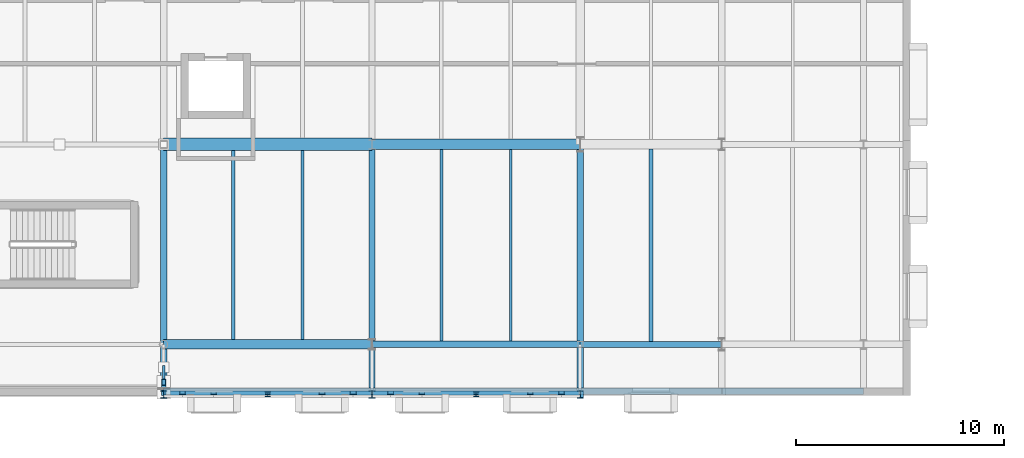
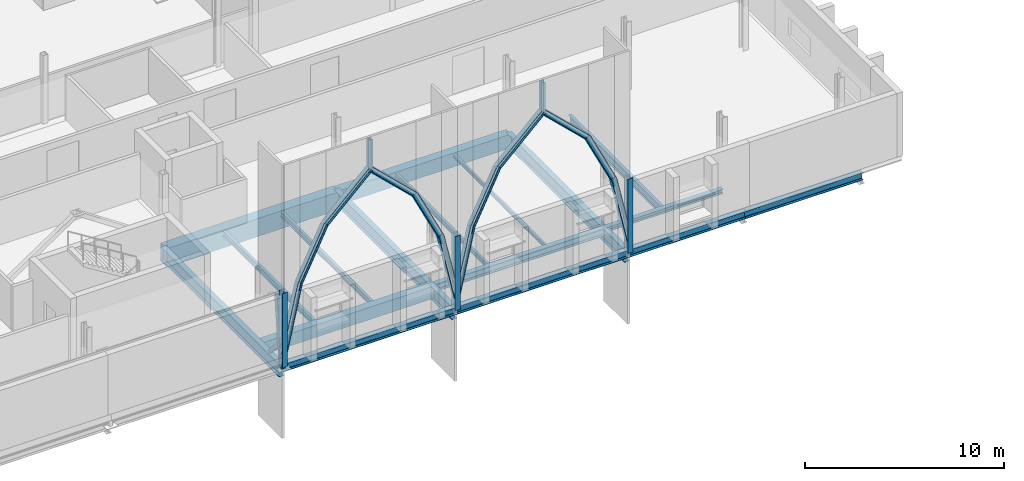
# One storey, part 36 of 90: 19 members, 17 beams.
"""IFC4 building model written with IfcOpenShell, lengths in metres."""

from ifc_helpers import new_model, si_unit, direction, frame, origin, origin_2d, place, context, subcontext, project, spatial, rectangle, hollow_rectangle, i_section, extrude, material, material_profile, profile_set, type_object, element, save


model = new_model("IFC4")

# Units and contexts
model_context = context("Model", 3, precision=1e-05, world=origin(), true_north=direction((0.0, 1.0)))
body_context = subcontext(model_context, "Body", "Model", "MODEL_VIEW")
ifc_project = project(units=[si_unit("LENGTHUNIT", "METRE"), si_unit("AREAUNIT", "SQUARE_METRE"), si_unit("VOLUMEUNIT", "CUBIC_METRE"), si_unit("PLANEANGLEUNIT", "RADIAN"), si_unit("MASSUNIT", "GRAM", prefix="KILO")], contexts=[model_context])

# Site, building, storey
site_placement = place(None, origin())
site = spatial("IfcSite", under=ifc_project, at=site_placement, CompositionType="ELEMENT")
building_placement = place(site_placement, origin())
building = spatial("IfcBuilding", under=site, at=building_placement, Name="Zereglee Splitstone Museum", CompositionType="ELEMENT")
storey_placement = place(building_placement, frame((0.0, 0.0, 4.800048828125)))
storey = spatial("IfcBuildingStorey", under=building, at=storey_placement, Name="L01", CompositionType="ELEMENT", Elevation=4.800048828125)

# Beams
ifc_material_1 = material(Name="Concrete C40/50", Category="concrete")
ifc_material_profile_1 = material_profile(ifc_material_1, rectangle(XDim=0.5, YDim=0.85009765625, at=origin_2d()), Name="RC 500x850")
ifc_profile_set_1 = profile_set([ifc_material_profile_1], Name="Concrete C40/50")
beam_type_1 = type_object("IfcBeamType", Name="BG-02", PredefinedType="BEAM", material=ifc_profile_set_1)
beam_1_placement = place(storey_placement, frame((205.199951171875, 9.60009765625, -0.72509765625), z_axis=(1.0, 0.0, 0.0), x_axis=(0.0, 1.0, 0.0)))
element("IfcBeam", 1, at=beam_1_placement, inside=storey, type_object=beam_type_1, Name="Primary Girder L01 B (205.2-215.2)", PredefinedType="BEAM", context=body_context, shape_type="SweptSolid", body=[
    extrude(rectangle(XDim=0.5, YDim=0.85009765625, at=origin_2d()), origin(), (0.0, 0.0, 1.0), 10.0),
])
ifc_material_profile_2 = material_profile(ifc_material_1, rectangle(XDim=0.60009765625, YDim=1.10009765625, at=origin_2d()), Name="RC 600x1100")
ifc_profile_set_2 = profile_set([ifc_material_profile_2], Name="Concrete C40/50")
beam_type_2 = type_object("IfcBeamType", Name="BG-01", PredefinedType="BEAM", material=ifc_profile_set_2)
beam_2_placement = place(storey_placement, frame((195.199951171875, 9.60009765625, -0.85009765625), z_axis=(1.0, 0.0, 0.0), x_axis=(0.0, 1.0, 0.0)))
element("IfcBeam", 2, at=beam_2_placement, inside=storey, type_object=beam_type_2, Name="Primary Girder L01 B (195.2-205.2)", PredefinedType="BEAM", context=body_context, shape_type="SweptSolid", body=[
    extrude(rectangle(XDim=0.60009765625, YDim=1.10009765625, at=origin_2d()), origin(), (0.0, 0.0, 1.0), 10.0),
])

# Members
ifc_material_2 = material(Name="Steel S355J2", Category="steel")
ifc_material_profile_3 = material_profile(ifc_material_2, i_section(OverallWidth=0.300048828125, OverallDepth=0.300048828125, WebThickness=0.010986328125, FlangeThickness=0.01904296875, FilletRadius=0.027099609375, at=origin_2d()), Name="HE 300 B")
ifc_profile_set_3 = profile_set([ifc_material_profile_3], Name="Steel S355J2")
member_type_1 = type_object("IfcMemberType", Name="TC-08", PredefinedType="CHORD", material=ifc_profile_set_3)
member_1_placement = place(storey_placement, frame((195.199951171875, -2.39990234375, 0.39990234375), z_axis=(0.217887712037, 0.0, 0.975973844395), x_axis=(0.0, 1.0, 0.0)))
element("IfcMember", 3, at=member_1_placement, inside=storey, type_object=member_type_1, Name="Mughal Four-Centred Pointed Arch Rib PSQ-SV3-1-1", PredefinedType="CHORD", context=body_context, shape_type="SweptSolid", body=[
    extrude(i_section(OverallWidth=0.300048828125, OverallDepth=0.300048828125, WebThickness=0.010986328125, FlangeThickness=0.01904296875, FilletRadius=0.027099609375, at=origin_2d()), origin(), (0.0, 0.0, 1.0), 4.13134765625),
])
member_2_placement = place(storey_placement, frame((196.10009765625, -2.39990234375, 4.431884765625), z_axis=(0.438766908304, 0.0, 0.898600912629), x_axis=(0.0, 1.0, 0.0)))
element("IfcMember", 4, at=member_2_placement, inside=storey, type_object=member_type_1, Name="Mughal Four-Centred Pointed Arch Rib PSQ-SV3-1-2", PredefinedType="CHORD", context=body_context, shape_type="SweptSolid", body=[
    extrude(i_section(OverallWidth=0.300048828125, OverallDepth=0.300048828125, WebThickness=0.010986328125, FlangeThickness=0.01904296875, FilletRadius=0.027099609375, at=origin_2d()), origin(), (0.0, 0.0, 1.0), 3.418701171875),
])
member_3_placement = place(storey_placement, frame((197.60009765625, -2.39990234375, 7.50390625), z_axis=(0.72135483249, 0.0, 0.692565668831), x_axis=(0.0, 1.0, 0.0)))
element("IfcMember", 5, at=member_3_placement, inside=storey, type_object=member_type_1, Name="Mughal Four-Centred Pointed Arch Rib PSQ-SV3-1-3", PredefinedType="CHORD", context=body_context, shape_type="SweptSolid", body=[
    extrude(i_section(OverallWidth=0.300048828125, OverallDepth=0.300048828125, WebThickness=0.010986328125, FlangeThickness=0.01904296875, FilletRadius=0.027099609375, at=origin_2d()), origin(), (0.0, 0.0, 1.0), 3.60400390625),
])
member_4_placement = place(storey_placement, frame((200.199951171875, -2.39990234375, 10.0), z_axis=(0.721387321031, 0.0, -0.69253182819), x_axis=(0.0, 1.0, 0.0)))
element("IfcMember", 6, at=member_4_placement, inside=storey, type_object=member_type_1, Name="Mughal Four-Centred Pointed Arch Rib PSQ-SV3-1-4", PredefinedType="CHORD", context=body_context, shape_type="SweptSolid", body=[
    extrude(i_section(OverallWidth=0.300048828125, OverallDepth=0.300048828125, WebThickness=0.010986328125, FlangeThickness=0.01904296875, FilletRadius=0.027099609375, at=origin_2d()), origin(), (0.0, 0.0, 1.0), 3.604248046875),
])
member_5_placement = place(storey_placement, frame((202.800048828125, -2.39990234375, 7.50390625), z_axis=(0.438766908304, 0.0, -0.898600912629), x_axis=(0.0, 1.0, 0.0)))
element("IfcMember", 7, at=member_5_placement, inside=storey, type_object=member_type_1, Name="Mughal Four-Centred Pointed Arch Rib PSQ-SV3-1-5", PredefinedType="CHORD", context=body_context, shape_type="SweptSolid", body=[
    extrude(i_section(OverallWidth=0.300048828125, OverallDepth=0.300048828125, WebThickness=0.010986328125, FlangeThickness=0.01904296875, FilletRadius=0.027099609375, at=origin_2d()), origin(), (0.0, 0.0, 1.0), 3.418701171875),
])
member_6_placement = place(storey_placement, frame((204.300048828125, -2.39990234375, 4.431884765625), z_axis=(0.217831420339, 0.0, -0.975986409902), x_axis=(0.0, 1.0, 0.0)))
element("IfcMember", 8, at=member_6_placement, inside=storey, type_object=member_type_1, Name="Mughal Four-Centred Pointed Arch Rib PSQ-SV3-1-6", PredefinedType="CHORD", context=body_context, shape_type="SweptSolid", body=[
    extrude(i_section(OverallWidth=0.300048828125, OverallDepth=0.300048828125, WebThickness=0.010986328125, FlangeThickness=0.01904296875, FilletRadius=0.027099609375, at=origin_2d()), origin(), (0.0, 0.0, 1.0), 4.131103515625),
])
member_7_placement = place(storey_placement, frame((205.199951171875, -2.39990234375, 0.39990234375), z_axis=(0.217887712037, 0.0, 0.975973844395), x_axis=(0.0, 1.0, 0.0)))
element("IfcMember", 9, at=member_7_placement, inside=storey, type_object=member_type_1, Name="Mughal Four-Centred Pointed Arch Rib PSQ-SV3-2-1", PredefinedType="CHORD", context=body_context, shape_type="SweptSolid", body=[
    extrude(i_section(OverallWidth=0.300048828125, OverallDepth=0.300048828125, WebThickness=0.010986328125, FlangeThickness=0.01904296875, FilletRadius=0.027099609375, at=origin_2d()), origin(), (0.0, 0.0, 1.0), 4.13134765625),
])
member_8_placement = place(storey_placement, frame((206.10009765625, -2.39990234375, 4.431884765625), z_axis=(0.438766908304, 0.0, 0.898600912629), x_axis=(0.0, 1.0, 0.0)))
element("IfcMember", 10, at=member_8_placement, inside=storey, type_object=member_type_1, Name="Mughal Four-Centred Pointed Arch Rib PSQ-SV3-2-2", PredefinedType="CHORD", context=body_context, shape_type="SweptSolid", body=[
    extrude(i_section(OverallWidth=0.300048828125, OverallDepth=0.300048828125, WebThickness=0.010986328125, FlangeThickness=0.01904296875, FilletRadius=0.027099609375, at=origin_2d()), origin(), (0.0, 0.0, 1.0), 3.418701171875),
])
member_9_placement = place(storey_placement, frame((207.60009765625, -2.39990234375, 7.50390625), z_axis=(0.72135483249, 0.0, 0.692565668831), x_axis=(0.0, 1.0, 0.0)))
element("IfcMember", 11, at=member_9_placement, inside=storey, type_object=member_type_1, Name="Mughal Four-Centred Pointed Arch Rib PSQ-SV3-2-3", PredefinedType="CHORD", context=body_context, shape_type="SweptSolid", body=[
    extrude(i_section(OverallWidth=0.300048828125, OverallDepth=0.300048828125, WebThickness=0.010986328125, FlangeThickness=0.01904296875, FilletRadius=0.027099609375, at=origin_2d()), origin(), (0.0, 0.0, 1.0), 3.60400390625),
])
member_10_placement = place(storey_placement, frame((210.199951171875, -2.39990234375, 10.0), z_axis=(0.721387321031, 0.0, -0.69253182819), x_axis=(0.0, 1.0, 0.0)))
element("IfcMember", 12, at=member_10_placement, inside=storey, type_object=member_type_1, Name="Mughal Four-Centred Pointed Arch Rib PSQ-SV3-2-4", PredefinedType="CHORD", context=body_context, shape_type="SweptSolid", body=[
    extrude(i_section(OverallWidth=0.300048828125, OverallDepth=0.300048828125, WebThickness=0.010986328125, FlangeThickness=0.01904296875, FilletRadius=0.027099609375, at=origin_2d()), origin(), (0.0, 0.0, 1.0), 3.604248046875),
])
member_11_placement = place(storey_placement, frame((212.800048828125, -2.39990234375, 7.50390625), z_axis=(0.438766908304, 0.0, -0.898600912629), x_axis=(0.0, 1.0, 0.0)))
element("IfcMember", 13, at=member_11_placement, inside=storey, type_object=member_type_1, Name="Mughal Four-Centred Pointed Arch Rib PSQ-SV3-2-5", PredefinedType="CHORD", context=body_context, shape_type="SweptSolid", body=[
    extrude(i_section(OverallWidth=0.300048828125, OverallDepth=0.300048828125, WebThickness=0.010986328125, FlangeThickness=0.01904296875, FilletRadius=0.027099609375, at=origin_2d()), origin(), (0.0, 0.0, 1.0), 3.418701171875),
])
member_12_placement = place(storey_placement, frame((214.300048828125, -2.39990234375, 4.431884765625), z_axis=(0.217831420339, 0.0, -0.975986409902), x_axis=(0.0, 1.0, 0.0)))
element("IfcMember", 14, at=member_12_placement, inside=storey, type_object=member_type_1, Name="Mughal Four-Centred Pointed Arch Rib PSQ-SV3-2-6", PredefinedType="CHORD", context=body_context, shape_type="SweptSolid", body=[
    extrude(i_section(OverallWidth=0.300048828125, OverallDepth=0.300048828125, WebThickness=0.010986328125, FlangeThickness=0.01904296875, FilletRadius=0.027099609375, at=origin_2d()), origin(), (0.0, 0.0, 1.0), 4.131103515625),
])
ifc_material_profile_4 = material_profile(ifc_material_2, i_section(OverallWidth=0.300048828125, OverallDepth=0.360107421875, WebThickness=0.012451171875, FlangeThickness=0.0224609375, FilletRadius=0.027099609375, at=origin_2d()), Name="HE 360 B")
ifc_profile_set_4 = profile_set([ifc_material_profile_4], Name="Steel S355J2")
member_type_2 = type_object("IfcMemberType", Name="TC-06", PredefinedType="CHORD", material=ifc_profile_set_4)
for number, where, z_axis, x_axis, name in (
    (15, (195.199951171875, -2.39990234375, -0.35009765625), (0.0, 0.0, 1.0), (1.0, 0.0, 0.0), "Mughal Guldasta Hovering Portal Pier G13 L01"),
    (16, (205.199951171875, -2.39990234375, -0.35009765625), (0.0, 0.0, 1.0), (1.0, 0.0, 0.0), "Mughal Guldasta Hovering Portal Pier G14 L01"),
    (17, (215.199951171875, -2.39990234375, -0.35009765625), (0.0, 0.0, 1.0), (1.0, 0.0, 0.0), "Mughal Guldasta Hovering Portal Pier G15 L01"),
):
    element("IfcMember", number, at=place(storey_placement, frame(where, z_axis=z_axis, x_axis=x_axis)), inside=storey, type_object=member_type_2, Name=name, PredefinedType="CHORD", context=body_context, shape_type="SweptSolid", body=[
        extrude(i_section(OverallWidth=0.300048828125, OverallDepth=0.360107421875, WebThickness=0.012451171875, FlangeThickness=0.0224609375, FilletRadius=0.027099609375, at=origin_2d()), origin(), (0.0, 0.0, 1.0), 4.550048828125),
    ])

# Beams
ifc_material_profile_5 = material_profile(ifc_material_2, i_section(OverallWidth=0.300048828125, OverallDepth=0.800048828125, WebThickness=0.017578125, FlangeThickness=0.032958984375, FilletRadius=0.030029296875, at=origin_2d()), Name="HE 800 B")
ifc_profile_set_5 = profile_set([ifc_material_profile_5], Name="Steel S355J2")
beam_type_3 = type_object("IfcBeamType", Name="BG-07", PredefinedType="BEAM", material=ifc_profile_set_5)
for number, where, z_axis, x_axis, name in (
    (18, (195.199951171875, -2.25, -0.699951171875), (0.0, 1.0, 0.0), (-1.0, 0.0, 0.0), "Primary Girder L01 22 (-2.2-9.6)"),
    (19, (205.199951171875, -2.25, -0.699951171875), (0.0, 1.0, 0.0), (-1.0, 0.0, 0.0), "Primary Girder L01 23 (-2.2-9.6)"),
    (20, (215.199951171875, -2.25, -0.699951171875), (0.0, 1.0, 0.0), (-1.0, 0.0, 0.0), "Primary Girder L01 24 (-2.2-9.6)"),
):
    element("IfcBeam", number, at=place(storey_placement, frame(where, z_axis=z_axis, x_axis=x_axis)), inside=storey, type_object=beam_type_3, Name=name, PredefinedType="BEAM", context=body_context, shape_type="SweptSolid", body=[
        extrude(i_section(OverallWidth=0.300048828125, OverallDepth=0.800048828125, WebThickness=0.017578125, FlangeThickness=0.032958984375, FilletRadius=0.030029296875, at=origin_2d()), origin(), (0.0, 0.0, 1.0), 11.85009765625),
    ])
ifc_material_profile_6 = material_profile(ifc_material_2, i_section(OverallWidth=0.1201171875, OverallDepth=0.239990234375, WebThickness=0.006103515625, FlangeThickness=0.009765625, FilletRadius=0.014892578125, at=origin_2d()), Name="IPE 240")
ifc_profile_set_6 = profile_set([ifc_material_profile_6], Name="Steel S355J2")
beam_type_4 = type_object("IfcBeamType", Name="BJ-07", PredefinedType="JOIST", material=ifc_profile_set_6)
beam_3_placement = place(storey_placement, frame((211.86669921875, 0.14990234375, -0.420166015625), z_axis=(0.0, 1.0, 0.0), x_axis=(-1.0, 0.0, 0.0)))
element("IfcBeam", 21, at=beam_3_placement, inside=storey, type_object=beam_type_4, Name="Secondary Floor Joist L01-0699", PredefinedType="JOIST", context=body_context, shape_type="SweptSolid", body=[
    extrude(i_section(OverallWidth=0.1201171875, OverallDepth=0.239990234375, WebThickness=0.006103515625, FlangeThickness=0.009765625, FilletRadius=0.014892578125, at=origin_2d()), origin(), (0.0, 0.0, 1.0), 9.2001953125),
])
ifc_material_profile_7 = material_profile(ifc_material_2, i_section(OverallWidth=0.14990234375, OverallDepth=0.300048828125, WebThickness=0.007080078125, FlangeThickness=0.0107421875, FilletRadius=0.014892578125, at=origin_2d()), Name="IPE 300")
ifc_profile_set_7 = profile_set([ifc_material_profile_7], Name="Steel S355J2")
beam_type_5 = type_object("IfcBeamType", Name="BJ-06", PredefinedType="JOIST", material=ifc_profile_set_7)
beam_4_placement = place(storey_placement, frame((208.533203125, 0.14990234375, -0.449951171875), z_axis=(0.0, 1.0, 0.0), x_axis=(-1.0, 0.0, 0.0)))
element("IfcBeam", 22, at=beam_4_placement, inside=storey, type_object=beam_type_5, Name="Secondary Floor Joist L01-0698", PredefinedType="JOIST", context=body_context, shape_type="SweptSolid", body=[
    extrude(i_section(OverallWidth=0.14990234375, OverallDepth=0.300048828125, WebThickness=0.007080078125, FlangeThickness=0.0107421875, FilletRadius=0.014892578125, at=origin_2d()), origin(), (0.0, 0.0, 1.0), 9.2001953125),
])
ifc_material_profile_8 = material_profile(ifc_material_2, i_section(OverallWidth=0.159912109375, OverallDepth=0.330078125, WebThickness=0.007568359375, FlangeThickness=0.011474609375, FilletRadius=0.01806640625, at=origin_2d()), Name="IPE 330")
ifc_profile_set_8 = profile_set([ifc_material_profile_8], Name="Steel S355J2")
beam_type_6 = type_object("IfcBeamType", Name="BJ-05", PredefinedType="JOIST", material=ifc_profile_set_8)
beam_5_placement = place(storey_placement, frame((201.86669921875, 0.22509765625, -0.465087890625), z_axis=(0.0, 1.0, 0.0), x_axis=(-1.0, 0.0, 0.0)))
element("IfcBeam", 23, at=beam_5_placement, inside=storey, type_object=beam_type_6, Name="Secondary Floor Joist L01-0697", PredefinedType="JOIST", context=body_context, shape_type="SweptSolid", body=[
    extrude(i_section(OverallWidth=0.159912109375, OverallDepth=0.330078125, WebThickness=0.007568359375, FlangeThickness=0.011474609375, FilletRadius=0.01806640625, at=origin_2d()), origin(), (0.0, 0.0, 1.0), 9.074951171875),
])
ifc_material_profile_9 = material_profile(ifc_material_2, i_section(OverallWidth=0.169921875, OverallDepth=0.360107421875, WebThickness=0.008056640625, FlangeThickness=0.0126953125, FilletRadius=0.01806640625, at=origin_2d()), Name="IPE 360")
ifc_profile_set_9 = profile_set([ifc_material_profile_9], Name="Steel S355J2")
beam_type_7 = type_object("IfcBeamType", Name="BJ-04", PredefinedType="JOIST", material=ifc_profile_set_9)
beam_6_placement = place(storey_placement, frame((198.533203125, 0.22509765625, -0.47998046875), z_axis=(0.0, 1.0, 0.0), x_axis=(-1.0, 0.0, 0.0)))
element("IfcBeam", 24, at=beam_6_placement, inside=storey, type_object=beam_type_7, Name="Secondary Floor Joist L01-0696", PredefinedType="JOIST", context=body_context, shape_type="SweptSolid", body=[
    extrude(i_section(OverallWidth=0.169921875, OverallDepth=0.360107421875, WebThickness=0.008056640625, FlangeThickness=0.0126953125, FilletRadius=0.01806640625, at=origin_2d()), origin(), (0.0, 0.0, 1.0), 9.074951171875),
])
ifc_material_profile_10 = material_profile(ifc_material_2, i_section(OverallWidth=0.199951171875, OverallDepth=0.5, WebThickness=0.01025390625, FlangeThickness=0.01611328125, FilletRadius=0.02099609375, at=origin_2d()), Name="IPE 500")
ifc_profile_set_10 = profile_set([ifc_material_profile_10], Name="Steel S355J2")
beam_type_8 = type_object("IfcBeamType", Name="BJ-01", PredefinedType="JOIST", material=ifc_profile_set_10)
beam_7_placement = place(storey_placement, frame((218.60009765625, 0.139892578125, -0.550048828125), z_axis=(0.0, 1.0, 0.0), x_axis=(-1.0, 0.0, 0.0)))
element("IfcBeam", 25, at=beam_7_placement, inside=storey, type_object=beam_type_8, Name="Secondary Floor Joist L01-0700", PredefinedType="JOIST", context=body_context, shape_type="SweptSolid", body=[
    extrude(i_section(OverallWidth=0.199951171875, OverallDepth=0.5, WebThickness=0.01025390625, FlangeThickness=0.01611328125, FilletRadius=0.02099609375, at=origin_2d()), origin(), (0.0, 0.0, 1.0), 9.235107421875),
])

# Members
ifc_material_profile_11 = material_profile(ifc_material_2, i_section(OverallWidth=0.239990234375, OverallDepth=0.239990234375, WebThickness=0.010009765625, FlangeThickness=0.01708984375, FilletRadius=0.02099609375, at=origin_2d()), Name="HE 240 B")
ifc_profile_set_11 = profile_set([ifc_material_profile_11], Name="Steel S355J2")
member_type_3 = type_object("IfcMemberType", Name="TP-02", PredefinedType="POST", material=ifc_profile_set_11)
for number, where, z_axis, x_axis, name in (
    (26, (200.199951171875, -2.39990234375, 10.0), (0.0, 0.0, 1.0), (1.0, 0.0, 0.0), "Mughal Pishtaq Crown King-Post PSQ-SV3-1"),
    (27, (210.199951171875, -2.39990234375, 10.0), (0.0, 0.0, 1.0), (1.0, 0.0, 0.0), "Mughal Pishtaq Crown King-Post PSQ-SV3-2"),
):
    element("IfcMember", number, at=place(storey_placement, frame(where, z_axis=z_axis, x_axis=x_axis)), inside=storey, type_object=member_type_3, Name=name, PredefinedType="POST", context=body_context, shape_type="SweptSolid", body=[
        extrude(i_section(OverallWidth=0.239990234375, OverallDepth=0.239990234375, WebThickness=0.010009765625, FlangeThickness=0.01708984375, FilletRadius=0.02099609375, at=origin_2d()), origin(), (0.0, 0.0, 1.0), 1.794921875),
    ])

# Beams
ifc_material_profile_12 = material_profile(ifc_material_2, i_section(OverallWidth=0.280029296875, OverallDepth=0.280029296875, WebThickness=0.010498046875, FlangeThickness=0.01806640625, FilletRadius=0.02392578125, at=origin_2d()), Name="HE 280 B")
ifc_profile_set_12 = profile_set([ifc_material_profile_12], Name="Steel S355J2")
beam_type_9 = type_object("IfcBeamType", Name="SP-03", PredefinedType="SPANDREL", material=ifc_profile_set_12)
beam_8_placement = place(storey_placement, frame((215.199951171875, 0.0, -0.43994140625), z_axis=(1.0, 0.0, 0.0), x_axis=(0.0, 1.0, 0.0)))
element("IfcBeam", 28, at=beam_8_placement, inside=storey, type_object=beam_type_9, Name="Primary Girder L01 A (215.2-222.0)", PredefinedType="SPANDREL", context=body_context, shape_type="SweptSolid", body=[
    extrude(i_section(OverallWidth=0.280029296875, OverallDepth=0.280029296875, WebThickness=0.010498046875, FlangeThickness=0.01806640625, FilletRadius=0.02392578125, at=origin_2d()), origin(), (0.0, 0.0, 1.0), 6.800048828125),
])
ifc_material_profile_13 = material_profile(ifc_material_2, i_section(OverallWidth=0.300048828125, OverallDepth=0.449951171875, WebThickness=0.013916015625, FlangeThickness=0.02587890625, FilletRadius=0.027099609375, at=origin_2d()), Name="HE 450 B")
ifc_profile_set_13 = profile_set([ifc_material_profile_13], Name="Steel S355J2")
beam_type_10 = type_object("IfcBeamType", Name="SP-02", PredefinedType="SPANDREL", material=ifc_profile_set_13)
for number, where, z_axis, x_axis, name in (
    (29, (205.199951171875, 0.0, -0.525146484375), (1.0, 0.0, 0.0), (0.0, 1.0, 0.0), "Primary Girder L01 A (205.2-215.2)"),
    (30, (195.199951171875, -2.25, -0.525146484375), (1.0, 0.0, 0.0), (0.0, 1.0, 0.0), "Hovering Soffit Spandrel L01 (195.2-205.2)"),
    (31, (205.199951171875, -2.25, -0.525146484375), (1.0, 0.0, 0.0), (0.0, 1.0, 0.0), "Hovering Soffit Spandrel L01 (205.2-215.2)"),
):
    element("IfcBeam", number, at=place(storey_placement, frame(where, z_axis=z_axis, x_axis=x_axis)), inside=storey, type_object=beam_type_10, Name=name, PredefinedType="SPANDREL", context=body_context, shape_type="SweptSolid", body=[
        extrude(i_section(OverallWidth=0.300048828125, OverallDepth=0.449951171875, WebThickness=0.013916015625, FlangeThickness=0.02587890625, FilletRadius=0.027099609375, at=origin_2d()), origin(), (0.0, 0.0, 1.0), 10.0),
    ])
for number, where, z_axis, x_axis, name in (
    (32, (215.199951171875, -2.25, -0.525146484375), (1.0, 0.0, 0.0), (0.0, 1.0, 0.0), "Hovering Soffit Spandrel L01 (215.2-222.0)"),
    (33, (222.0, -2.25, -0.525146484375), (1.0, 0.0, 0.0), (0.0, 1.0, 0.0), "Hovering Soffit Spandrel L01 (222.0-228.8)"),
):
    element("IfcBeam", number, at=place(storey_placement, frame(where, z_axis=z_axis, x_axis=x_axis)), inside=storey, type_object=beam_type_10, Name=name, PredefinedType="SPANDREL", context=body_context, shape_type="SweptSolid", body=[
        extrude(i_section(OverallWidth=0.300048828125, OverallDepth=0.449951171875, WebThickness=0.013916015625, FlangeThickness=0.02587890625, FilletRadius=0.027099609375, at=origin_2d()), origin(), (0.0, 0.0, 1.0), 6.800048828125),
    ])
ifc_material_profile_14 = material_profile(ifc_material_1, rectangle(XDim=0.449951171875, YDim=0.75, at=origin_2d()), Name="RC 450x750")
ifc_profile_set_14 = profile_set([ifc_material_profile_14], Name="Concrete C40/50")
beam_type_11 = type_object("IfcBeamType", Name="SP-01", PredefinedType="SPANDREL", material=ifc_profile_set_14)
beam_9_placement = place(storey_placement, frame((195.199951171875, 0.0, -0.675048828125), z_axis=(1.0, 0.0, 0.0), x_axis=(0.0, 1.0, 0.0)))
element("IfcBeam", 34, at=beam_9_placement, inside=storey, type_object=beam_type_11, Name="Primary Girder L01 A (195.2-205.2)", PredefinedType="SPANDREL", context=body_context, shape_type="SweptSolid", body=[
    extrude(rectangle(XDim=0.449951171875, YDim=0.75, at=origin_2d()), origin(), (0.0, 0.0, 1.0), 10.0),
])

# Members
ifc_material_3 = material(Name="Steel S355J2H", Category="steel")
ifc_material_profile_15 = material_profile(ifc_material_3, hollow_rectangle(XDim=0.199951171875, YDim=0.300048828125, WallThickness=0.012451171875, at=origin_2d()), Name="RHS 300x200x12.5")
ifc_profile_set_15 = profile_set([ifc_material_profile_15], Name="Steel S355J2H")
member_type_4 = type_object("IfcMemberType", Name="FS-R1", PredefinedType="STRUT", material=ifc_profile_set_15)
member_13_placement = place(storey_placement, frame((195.199951171875, -2.295166015625, -0.550048828125), z_axis=(0.0, 0.112017581571, 0.993706224907), x_axis=(-1.0, 0.0, 0.0)))
element("IfcMember", 35, at=member_13_placement, inside=storey, type_object=member_type_4, Name="Split-Rock Continuous Facet Strut FH-V3S L01-03", PredefinedType="STRUT", context=body_context, shape_type="SweptSolid", body=[
    extrude(hollow_rectangle(XDim=0.199951171875, YDim=0.300048828125, WallThickness=0.012451171875, at=origin_2d()), origin(), (0.0, 0.0, 1.0), 4.206298828125),
])
ifc_material_profile_16 = material_profile(ifc_material_3, hollow_rectangle(XDim=0.1201171875, YDim=0.199951171875, WallThickness=0.008056640625, at=origin_2d()), Name="RHS 200x120x8")
ifc_profile_set_16 = profile_set([ifc_material_profile_16], Name="Steel S355J2H")
member_type_5 = type_object("IfcMemberType", Name="FS-T1", PredefinedType="STRUT", material=ifc_profile_set_16)
member_14_placement = place(storey_placement, frame((195.199951171875, -1.10009765625, -0.260009765625), z_axis=(0.0, -0.664529785409, 0.747261777628), x_axis=(1.0, 0.0, 0.0)))
element("IfcMember", 36, at=member_14_placement, inside=storey, type_object=member_type_5, Name="Facet Tie-Back Strut FH-V3S L01-03", PredefinedType="STRUT", context=body_context, shape_type="SweptSolid", body=[
    extrude(hollow_rectangle(XDim=0.1201171875, YDim=0.199951171875, WallThickness=0.008056640625, at=origin_2d()), origin(), (0.0, 0.0, 1.0), 1.55224609375),
])

save(model, "model.ifc")
